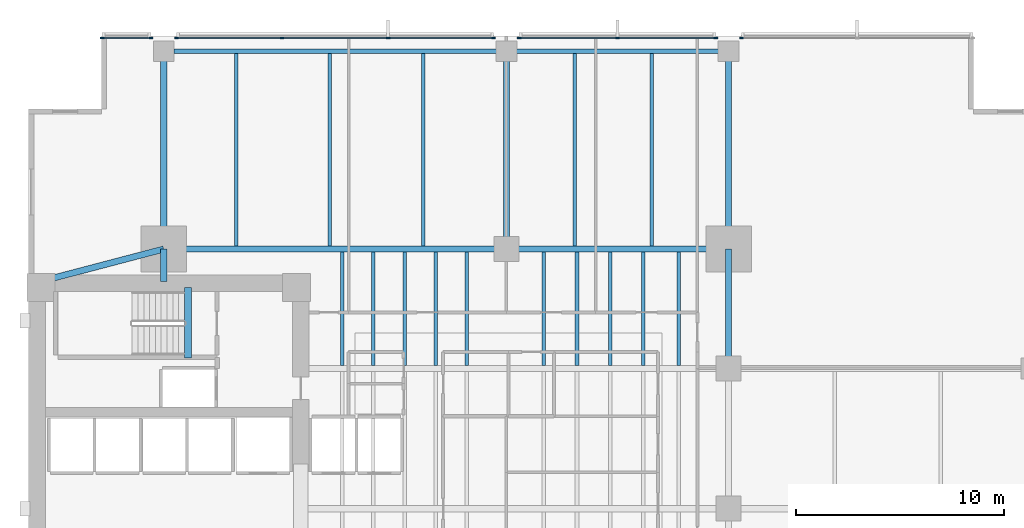
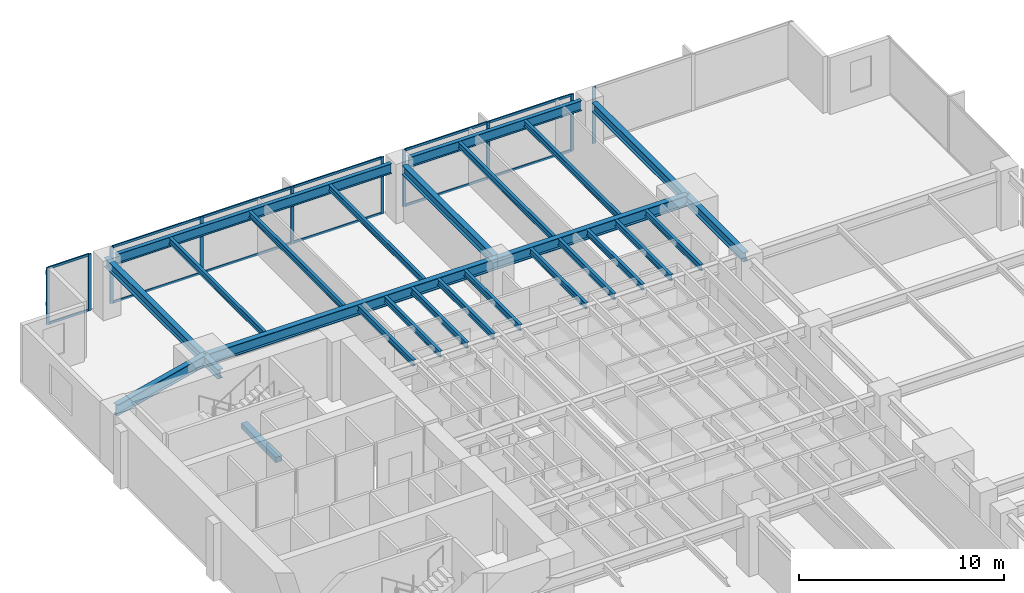
# One storey, part 5 of 15: 26 beams, 22 members, 4 elements without a shape of their own.
"""IFC4 building model written with IfcOpenShell, lengths in metres."""

from ifc_helpers import new_model, si_unit, direction, frame, origin, origin_2d, place, context, subcontext, project, spatial, rectangle, i_section, extrude, material, layer, layer_set, material_profile, profile_set, type_object, element, aggregate, save


model = new_model("IFC4")

# Units and contexts
model_context = context("Model", 3, precision=1e-05, world=origin(), true_north=direction((0.0, 1.0)))
body_context = subcontext(model_context, "Body", "Model", "MODEL_VIEW")
ifc_project = project(units=[si_unit("LENGTHUNIT", "METRE"), si_unit("AREAUNIT", "SQUARE_METRE"), si_unit("VOLUMEUNIT", "CUBIC_METRE"), si_unit("PLANEANGLEUNIT", "RADIAN"), si_unit("MASSUNIT", "GRAM", prefix="KILO")], contexts=[model_context])

# Site, building, storey
site_placement = place(None, origin())
site = spatial("IfcSite", under=ifc_project, at=site_placement, CompositionType="ELEMENT")
building_placement = place(site_placement, origin())
building = spatial("IfcBuilding", under=site, at=building_placement, Name="Kinhvarn Gate Tower", CompositionType="ELEMENT")
storey_placement = place(building_placement, frame((0.0, 0.0, 68.199951171875)))
storey = spatial("IfcBuildingStorey", under=building, at=storey_placement, Name="L17", CompositionType="ELEMENT", Elevation=68.199951171875)

# Beam
ifc_material_1 = material(Name="Concrete C50/60", Category="concrete")
ifc_material_profile_1 = material_profile(ifc_material_1, rectangle(XDim=0.340087890625, YDim=0.320068359375, at=origin_2d()), Name="RC 340x320")
ifc_profile_set_1 = profile_set([ifc_material_profile_1], Name="Concrete C50/60")
beam_type_1 = type_object("IfcBeamType", Name="BM-LND-500", PredefinedType="BEAM", material=ifc_profile_set_1)
beam_1_placement = place(storey_placement, frame((12.1650390625, 32.5, -0.159912109375), z_axis=(0.0, 1.0, 0.0), x_axis=(-1.0, 0.0, 0.0)))
element("IfcBeam", 1, at=beam_1_placement, inside=storey, type_object=beam_type_1, Name="Stair ST2 Landing Nosing Beam (L17)", PredefinedType="BEAM", context=body_context, shape_type="SweptSolid", body=[
    extrude(rectangle(XDim=0.340087890625, YDim=0.320068359375, at=origin_2d()), origin(), (0.0, 0.0, 1.0), 3.39990234375),
])

# Curtain wall, member
ifc_material_2 = material(Name="Anodised aluminium AW-6063", Category="aluminium")
ifc_layer = layer(ifc_material_2, 0.179931640625)
ifc_layer_set = layer_set([ifc_layer], Name="Anodised aluminium AW-6063")
curtain_wall_type = type_object("IfcCurtainWallType", Name="CW-SYS-2", PredefinedType="NOTDEFINED", material=ifc_layer_set)
curtain_wall_1_placement = place(storey_placement, origin())
curtain_wall_1 = element("IfcCurtainWall", 2, at=curtain_wall_1_placement, inside=storey, type_object=curtain_wall_type, Name="Curtain Wall CW2 (L17)", PredefinedType="NOTDEFINED")
ifc_material_profile_2 = material_profile(ifc_material_2, rectangle(XDim=0.070068359375, YDim=0.179931640625, at=origin_2d()), Name="ALU 70x180")
ifc_profile_set_2 = profile_set([ifc_material_profile_2], Name="Anodised aluminium AW-6063")
member_type_1 = type_object("IfcMemberType", Name="CW-MUL-180", PredefinedType="MULLION", material=ifc_profile_set_2)
member_1_placement = place(storey_placement, frame((38.81494140625, 47.909912109375, 0.0), z_axis=(0.0, 0.0, 1.0), x_axis=(0.0, -1.0, 0.0)))
member_1 = element("IfcMember", 3, at=member_1_placement, type_object=member_type_1, Name="CW2 mullion 3", PredefinedType="MULLION", context=body_context, shape_type="SweptSolid", body=[
    extrude(rectangle(XDim=0.070068359375, YDim=0.179931640625, at=origin_2d()), origin(), (0.0, 0.0, 1.0), 3.3701171875),
])
aggregate(curtain_wall_1, [member_1])

# Curtain wall, members
curtain_wall_2_placement = place(storey_placement, origin())
curtain_wall_2 = element("IfcCurtainWall", 4, at=curtain_wall_2_placement, inside=storey, type_object=curtain_wall_type, Name="Curtain Wall CW2 (L17)", PredefinedType="NOTDEFINED")
member_2_placement = place(storey_placement, frame((37.5849609375, 47.909912109375, 0.0), z_axis=(0.0, 0.0, 1.0), x_axis=(0.0, -1.0, 0.0)))
member_2 = element("IfcMember", 5, at=member_2_placement, type_object=member_type_1, Name="CW2 mullion 1", PredefinedType="MULLION", context=body_context, shape_type="SweptSolid", body=[
    extrude(rectangle(XDim=0.070068359375, YDim=0.179931640625, at=origin_2d()), origin(), (0.0, 0.0, 1.0), 3.3701171875),
])
member_3_placement = place(storey_placement, frame((32.85009765625, 47.909912109375, 0.0), z_axis=(0.0, 0.0, 1.0), x_axis=(0.0, -1.0, 0.0)))
member_3 = element("IfcMember", 6, at=member_3_placement, type_object=member_type_1, Name="CW2 mullion 2", PredefinedType="MULLION", context=body_context, shape_type="SweptSolid", body=[
    extrude(rectangle(XDim=0.070068359375, YDim=0.179931640625, at=origin_2d()), origin(), (0.0, 0.0, 1.0), 3.3701171875),
])
member_4_placement = place(storey_placement, frame((28.114990234375, 47.909912109375, 0.0), z_axis=(0.0, 0.0, 1.0), x_axis=(0.0, -1.0, 0.0)))
member_4 = element("IfcMember", 7, at=member_4_placement, type_object=member_type_1, Name="CW2 mullion 3", PredefinedType="MULLION", context=body_context, shape_type="SweptSolid", body=[
    extrude(rectangle(XDim=0.070068359375, YDim=0.179931640625, at=origin_2d()), origin(), (0.0, 0.0, 1.0), 3.3701171875),
])

curtain_wall_3_placement = place(storey_placement, origin())
curtain_wall_3 = element("IfcCurtainWall", 8, at=curtain_wall_3_placement, inside=storey, type_object=curtain_wall_type, Name="Curtain Wall CW2 (L17)", PredefinedType="NOTDEFINED")
member_5_placement = place(storey_placement, frame((26.885009765625, 47.909912109375, 0.0), z_axis=(0.0, 0.0, 1.0), x_axis=(0.0, -1.0, 0.0)))
member_5 = element("IfcMember", 9, at=member_5_placement, type_object=member_type_1, Name="CW2 mullion 1", PredefinedType="MULLION", context=body_context, shape_type="SweptSolid", body=[
    extrude(rectangle(XDim=0.070068359375, YDim=0.179931640625, at=origin_2d()), origin(), (0.0, 0.0, 1.0), 3.3701171875),
])
member_6_placement = place(storey_placement, frame((21.806640625, 47.909912109375, 0.0), z_axis=(0.0, 0.0, 1.0), x_axis=(0.0, -1.0, 0.0)))
member_6 = element("IfcMember", 10, at=member_6_placement, type_object=member_type_1, Name="CW2 mullion 2", PredefinedType="MULLION", context=body_context, shape_type="SweptSolid", body=[
    extrude(rectangle(XDim=0.070068359375, YDim=0.179931640625, at=origin_2d()), origin(), (0.0, 0.0, 1.0), 3.3701171875),
])
member_7_placement = place(storey_placement, frame((16.693359375, 47.909912109375, 0.0), z_axis=(0.0, 0.0, 1.0), x_axis=(0.0, -1.0, 0.0)))
member_7 = element("IfcMember", 11, at=member_7_placement, type_object=member_type_1, Name="CW2 mullion 3", PredefinedType="MULLION", context=body_context, shape_type="SweptSolid", body=[
    extrude(rectangle(XDim=0.070068359375, YDim=0.179931640625, at=origin_2d()), origin(), (0.0, 0.0, 1.0), 3.3701171875),
])
member_8_placement = place(storey_placement, frame((11.614990234375, 47.909912109375, 0.0), z_axis=(0.0, 0.0, 1.0), x_axis=(0.0, -1.0, 0.0)))
member_8 = element("IfcMember", 12, at=member_8_placement, type_object=member_type_1, Name="CW2 mullion 4", PredefinedType="MULLION", context=body_context, shape_type="SweptSolid", body=[
    extrude(rectangle(XDim=0.070068359375, YDim=0.179931640625, at=origin_2d()), origin(), (0.0, 0.0, 1.0), 3.3701171875),
])

curtain_wall_4_placement = place(storey_placement, origin())
curtain_wall_4 = element("IfcCurtainWall", 13, at=curtain_wall_4_placement, inside=storey, type_object=curtain_wall_type, Name="Curtain Wall CW2 (L17)", PredefinedType="NOTDEFINED")
member_9_placement = place(storey_placement, frame((10.385009765625, 47.909912109375, 0.0), z_axis=(0.0, 0.0, 1.0), x_axis=(0.0, -1.0, 0.0)))
member_9 = element("IfcMember", 14, at=member_9_placement, type_object=member_type_1, Name="CW2 mullion 1", PredefinedType="MULLION", context=body_context, shape_type="SweptSolid", body=[
    extrude(rectangle(XDim=0.070068359375, YDim=0.179931640625, at=origin_2d()), origin(), (0.0, 0.0, 1.0), 3.3701171875),
])
member_10_placement = place(storey_placement, frame((8.034912109375, 47.909912109375, 0.0), z_axis=(0.0, 0.0, 1.0), x_axis=(0.0, -1.0, 0.0)))
member_10 = element("IfcMember", 15, at=member_10_placement, type_object=member_type_1, Name="CW2 mullion 2", PredefinedType="MULLION", context=body_context, shape_type="SweptSolid", body=[
    extrude(rectangle(XDim=0.070068359375, YDim=0.179931640625, at=origin_2d()), origin(), (0.0, 0.0, 1.0), 3.3701171875),
])

# Member
ifc_material_profile_3 = material_profile(ifc_material_2, rectangle(XDim=0.070068359375, YDim=0.139892578125, at=origin_2d()), Name="ALU 70x140")
ifc_profile_set_3 = profile_set([ifc_material_profile_3], Name="Anodised aluminium AW-6063")
member_type_2 = type_object("IfcMemberType", Name="CW-TRN-140", PredefinedType="USERDEFINED", material=ifc_profile_set_3)
member_11_placement = place(storey_placement, frame((37.550048828125, 47.909912109375, 0.03515625), z_axis=(-1.0, 0.0, 0.0), x_axis=(0.0, -1.0, 0.0)))
member_11 = element("IfcMember", 16, at=member_11_placement, type_object=member_type_2, Name="CW2 transom 1.1", ObjectType="TRANSOM", PredefinedType="USERDEFINED", context=body_context, shape_type="SweptSolid", body=[
    extrude(rectangle(XDim=0.070068359375, YDim=0.139892578125, at=origin_2d()), origin(), (0.0, 0.0, 1.0), 4.6650390625),
])

member_12_placement = place(storey_placement, frame((37.550048828125, 47.909912109375, 3.3349609375), z_axis=(-1.0, 0.0, 0.0), x_axis=(0.0, -1.0, 0.0)))
member_12 = element("IfcMember", 17, at=member_12_placement, type_object=member_type_2, Name="CW2 transom 1.2", ObjectType="TRANSOM", PredefinedType="USERDEFINED", context=body_context, shape_type="SweptSolid", body=[
    extrude(rectangle(XDim=0.070068359375, YDim=0.139892578125, at=origin_2d()), origin(), (0.0, 0.0, 1.0), 4.6650390625),
])

member_13_placement = place(storey_placement, frame((32.81494140625, 47.909912109375, 0.03515625), z_axis=(-1.0, 0.0, 0.0), x_axis=(0.0, -1.0, 0.0)))
member_13 = element("IfcMember", 18, at=member_13_placement, type_object=member_type_2, Name="CW2 transom 2.1", ObjectType="TRANSOM", PredefinedType="USERDEFINED", context=body_context, shape_type="SweptSolid", body=[
    extrude(rectangle(XDim=0.070068359375, YDim=0.139892578125, at=origin_2d()), origin(), (0.0, 0.0, 1.0), 4.6650390625),
])

member_14_placement = place(storey_placement, frame((32.81494140625, 47.909912109375, 3.3349609375), z_axis=(-1.0, 0.0, 0.0), x_axis=(0.0, -1.0, 0.0)))
member_14 = element("IfcMember", 19, at=member_14_placement, type_object=member_type_2, Name="CW2 transom 2.2", ObjectType="TRANSOM", PredefinedType="USERDEFINED", context=body_context, shape_type="SweptSolid", body=[
    extrude(rectangle(XDim=0.070068359375, YDim=0.139892578125, at=origin_2d()), origin(), (0.0, 0.0, 1.0), 4.6650390625),
])

aggregate(curtain_wall_2, [member_2, member_3, member_4, member_11, member_12, member_13, member_14])

member_15_placement = place(storey_placement, frame((26.85009765625, 47.909912109375, 0.03515625), z_axis=(-1.0, 0.0, 0.0), x_axis=(0.0, -1.0, 0.0)))
member_15 = element("IfcMember", 20, at=member_15_placement, type_object=member_type_2, Name="CW2 transom 1.1", ObjectType="TRANSOM", PredefinedType="USERDEFINED", context=body_context, shape_type="SweptSolid", body=[
    extrude(rectangle(XDim=0.070068359375, YDim=0.139892578125, at=origin_2d()), origin(), (0.0, 0.0, 1.0), 5.008544921875),
])

member_16_placement = place(storey_placement, frame((26.85009765625, 47.909912109375, 3.3349609375), z_axis=(-1.0, 0.0, 0.0), x_axis=(0.0, -1.0, 0.0)))
member_16 = element("IfcMember", 21, at=member_16_placement, type_object=member_type_2, Name="CW2 transom 1.2", ObjectType="TRANSOM", PredefinedType="USERDEFINED", context=body_context, shape_type="SweptSolid", body=[
    extrude(rectangle(XDim=0.070068359375, YDim=0.139892578125, at=origin_2d()), origin(), (0.0, 0.0, 1.0), 5.008544921875),
])

member_17_placement = place(storey_placement, frame((21.771728515625, 47.909912109375, 0.03515625), z_axis=(-1.0, 0.0, 0.0), x_axis=(0.0, -1.0, 0.0)))
member_17 = element("IfcMember", 22, at=member_17_placement, type_object=member_type_2, Name="CW2 transom 2.1", ObjectType="TRANSOM", PredefinedType="USERDEFINED", context=body_context, shape_type="SweptSolid", body=[
    extrude(rectangle(XDim=0.070068359375, YDim=0.139892578125, at=origin_2d()), origin(), (0.0, 0.0, 1.0), 5.04345703125),
])

member_18_placement = place(storey_placement, frame((21.771728515625, 47.909912109375, 3.3349609375), z_axis=(-1.0, 0.0, 0.0), x_axis=(0.0, -1.0, 0.0)))
member_18 = element("IfcMember", 23, at=member_18_placement, type_object=member_type_2, Name="CW2 transom 2.2", ObjectType="TRANSOM", PredefinedType="USERDEFINED", context=body_context, shape_type="SweptSolid", body=[
    extrude(rectangle(XDim=0.070068359375, YDim=0.139892578125, at=origin_2d()), origin(), (0.0, 0.0, 1.0), 5.04345703125),
])

member_19_placement = place(storey_placement, frame((16.658447265625, 47.909912109375, 0.03515625), z_axis=(-1.0, 0.0, 0.0), x_axis=(0.0, -1.0, 0.0)))
member_19 = element("IfcMember", 24, at=member_19_placement, type_object=member_type_2, Name="CW2 transom 3.1", ObjectType="TRANSOM", PredefinedType="USERDEFINED", context=body_context, shape_type="SweptSolid", body=[
    extrude(rectangle(XDim=0.070068359375, YDim=0.139892578125, at=origin_2d()), origin(), (0.0, 0.0, 1.0), 5.008544921875),
])

member_20_placement = place(storey_placement, frame((16.658447265625, 47.909912109375, 3.3349609375), z_axis=(-1.0, 0.0, 0.0), x_axis=(0.0, -1.0, 0.0)))
member_20 = element("IfcMember", 25, at=member_20_placement, type_object=member_type_2, Name="CW2 transom 3.2", ObjectType="TRANSOM", PredefinedType="USERDEFINED", context=body_context, shape_type="SweptSolid", body=[
    extrude(rectangle(XDim=0.070068359375, YDim=0.139892578125, at=origin_2d()), origin(), (0.0, 0.0, 1.0), 5.008544921875),
])

aggregate(curtain_wall_3, [member_5, member_6, member_7, member_8, member_15, member_16, member_17, member_18, member_19, member_20])

member_21_placement = place(storey_placement, frame((10.35009765625, 47.909912109375, 0.03515625), z_axis=(-1.0, 0.0, 0.0), x_axis=(0.0, -1.0, 0.0)))
member_21 = element("IfcMember", 26, at=member_21_placement, type_object=member_type_2, Name="CW2 transom 1.1", ObjectType="TRANSOM", PredefinedType="USERDEFINED", context=body_context, shape_type="SweptSolid", body=[
    extrude(rectangle(XDim=0.070068359375, YDim=0.139892578125, at=origin_2d()), origin(), (0.0, 0.0, 1.0), 2.280029296875),
])

member_22_placement = place(storey_placement, frame((10.35009765625, 47.909912109375, 3.3349609375), z_axis=(-1.0, 0.0, 0.0), x_axis=(0.0, -1.0, 0.0)))
member_22 = element("IfcMember", 27, at=member_22_placement, type_object=member_type_2, Name="CW2 transom 1.2", ObjectType="TRANSOM", PredefinedType="USERDEFINED", context=body_context, shape_type="SweptSolid", body=[
    extrude(rectangle(XDim=0.070068359375, YDim=0.139892578125, at=origin_2d()), origin(), (0.0, 0.0, 1.0), 2.280029296875),
])

aggregate(curtain_wall_4, [member_9, member_10, member_21, member_22])

# Beams
ifc_material_3 = material(Name="Steel S355", Category="steel")
ifc_material_profile_4 = material_profile(ifc_material_3, i_section(OverallWidth=0.300048828125, OverallDepth=0.550048828125, WebThickness=0.014892578125, FlangeThickness=0.029052734375, at=origin_2d()), Name="HEB 550")
ifc_profile_set_4 = profile_set([ifc_material_profile_4], Name="Steel S355")
beam_type_2 = type_object("IfcBeamType", Name="STL-HEB550", PredefinedType="BEAM", material=ifc_profile_set_4)
beam_2_placement = place(storey_placement, frame((11.0, 36.199951171875, 3.094970703125), z_axis=(0.0, 1.0, 0.0), x_axis=(-1.0, 0.0, 0.0)))
element("IfcBeam", 28, at=beam_2_placement, inside=storey, type_object=beam_type_2, Name="Floor Beam PG-15 (L17 MCW-CN)", PredefinedType="BEAM", context=body_context, shape_type="SweptSolid", body=[
    extrude(i_section(OverallWidth=0.300048828125, OverallDepth=0.550048828125, WebThickness=0.014892578125, FlangeThickness=0.029052734375, at=origin_2d()), origin(), (0.0, 0.0, 1.0), 1.550048828125),
])
beam_3_placement = place(storey_placement, frame((11.0, 37.75, 3.094970703125), z_axis=(0.0, 1.0, 0.0), x_axis=(-1.0, 0.0, 0.0)))
element("IfcBeam", 29, at=beam_3_placement, inside=storey, type_object=beam_type_2, Name="Floor Beam PG-15 (L17 MCW-N)", PredefinedType="BEAM", context=body_context, shape_type="SweptSolid", body=[
    extrude(i_section(OverallWidth=0.300048828125, OverallDepth=0.550048828125, WebThickness=0.014892578125, FlangeThickness=0.029052734375, at=origin_2d()), origin(), (0.0, 0.0, 1.0), 9.530029296875),
])
for number, where, z_axis, x_axis, name in (
    (30, (27.5, 37.75, 3.094970703125), (0.0, 1.0, 0.0), (-1.0, 0.0, 0.0), "Floor Beam PG-15 (L17 SP27-N-TIE)"),
    (31, (38.199951171875, 37.75, 3.094970703125), (0.0, 1.0, 0.0), (-1.0, 0.0, 0.0), "Floor Beam PG-15 (L17 MCE-N)"),
):
    element("IfcBeam", number, at=place(storey_placement, frame(where, z_axis=z_axis, x_axis=x_axis)), inside=storey, type_object=beam_type_2, Name=name, PredefinedType="BEAM", context=body_context, shape_type="SweptSolid", body=[
        extrude(i_section(OverallWidth=0.300048828125, OverallDepth=0.550048828125, WebThickness=0.014892578125, FlangeThickness=0.029052734375, at=origin_2d()), origin(), (0.0, 0.0, 1.0), 9.044921875),
    ])
beam_4_placement = place(storey_placement, frame((38.199951171875, 32.0, 3.094970703125), z_axis=(0.0, 1.0, 0.0), x_axis=(-1.0, 0.0, 0.0)))
element("IfcBeam", 32, at=beam_4_placement, inside=storey, type_object=beam_type_2, Name="Floor Beam PG-15 (L17 MG-E-32)", PredefinedType="BEAM", context=body_context, shape_type="SweptSolid", body=[
    extrude(i_section(OverallWidth=0.300048828125, OverallDepth=0.550048828125, WebThickness=0.014892578125, FlangeThickness=0.029052734375, at=origin_2d()), origin(), (0.0, 0.0, 1.0), 5.75),
])
ifc_material_profile_5 = material_profile(ifc_material_3, i_section(OverallWidth=0.300048828125, OverallDepth=0.64990234375, WebThickness=0.01611328125, FlangeThickness=0.031005859375, at=origin_2d()), Name="HEB 650")
ifc_profile_set_5 = profile_set([ifc_material_profile_5], Name="Steel S355")
beam_type_3 = type_object("IfcBeamType", Name="STL-HEB650", PredefinedType="BEAM", material=ifc_profile_set_5)
beam_5_placement = place(storey_placement, frame((11.0, 37.75, 3.045166015625), z_axis=(1.0, 0.0, 0.0), x_axis=(0.0, 1.0, 0.0)))
element("IfcBeam", 33, at=beam_5_placement, inside=storey, type_object=beam_type_3, Name="Floor Beam PG-17 (L17 MG-N1)", PredefinedType="BEAM", context=body_context, shape_type="SweptSolid", body=[
    extrude(i_section(OverallWidth=0.300048828125, OverallDepth=0.64990234375, WebThickness=0.01611328125, FlangeThickness=0.031005859375, at=origin_2d()), origin(), (0.0, 0.0, 1.0), 16.5),
])
beam_6_placement = place(storey_placement, frame((27.5, 37.75, 3.045166015625), z_axis=(1.0, 0.0, 0.0), x_axis=(0.0, 1.0, 0.0)))
element("IfcBeam", 34, at=beam_6_placement, inside=storey, type_object=beam_type_3, Name="Floor Beam PG-17 (L17 MG-N2)", PredefinedType="BEAM", context=body_context, shape_type="SweptSolid", body=[
    extrude(i_section(OverallWidth=0.300048828125, OverallDepth=0.64990234375, WebThickness=0.01611328125, FlangeThickness=0.031005859375, at=origin_2d()), origin(), (0.0, 0.0, 1.0), 10.699951171875),
])
beam_7_placement = place(storey_placement, frame((5.10009765625, 36.199951171875, 3.045166015625), z_axis=(0.967177623957, 0.254101246979, 0.0), x_axis=(-0.254101246979, 0.967177623957, 0.0)))
element("IfcBeam", 35, at=beam_7_placement, inside=storey, type_object=beam_type_3, Name="Floor Beam PG-17 (L17 MG-NW-DIAG)", PredefinedType="BEAM", context=body_context, shape_type="SweptSolid", body=[
    extrude(i_section(OverallWidth=0.300048828125, OverallDepth=0.64990234375, WebThickness=0.01611328125, FlangeThickness=0.031005859375, at=origin_2d()), origin(), (0.0, 0.0, 1.0), 6.10009765625),
])
ifc_material_profile_6 = material_profile(ifc_material_3, i_section(OverallWidth=0.169921875, OverallDepth=0.360107421875, WebThickness=0.008056640625, FlangeThickness=0.0126953125, at=origin_2d()), Name="IPE 360")
ifc_profile_set_6 = profile_set([ifc_material_profile_6], Name="Steel S355")
beam_type_4 = type_object("IfcBeamType", Name="STL-IPE360", PredefinedType="JOIST", material=ifc_profile_set_6)
for number, where, z_axis, x_axis, name in (
    (36, (19.60009765625, 32.14990234375, 3.18994140625), (0.0, 1.0, 0.0), (-1.0, 0.0, 0.0), "Floor Joist SB-04 (L17 JC-X196-3)"),
    (37, (21.10009765625, 32.14990234375, 3.18994140625), (0.0, 1.0, 0.0), (-1.0, 0.0, 0.0), "Floor Joist SB-04 (L17 JC-X211-3)"),
    (38, (22.60009765625, 32.14990234375, 3.18994140625), (0.0, 1.0, 0.0), (-1.0, 0.0, 0.0), "Floor Joist SB-04 (L17 JC-X226-3)"),
    (39, (24.10009765625, 32.14990234375, 3.18994140625), (0.0, 1.0, 0.0), (-1.0, 0.0, 0.0), "Floor Joist SB-04 (L17 JC-X241-3)"),
    (40, (25.60009765625, 32.14990234375, 3.18994140625), (0.0, 1.0, 0.0), (-1.0, 0.0, 0.0), "Floor Joist SB-04 (L17 JC-X256-3)"),
    (41, (29.300048828125, 32.14990234375, 3.18994140625), (0.0, 1.0, 0.0), (-1.0, 0.0, 0.0), "Floor Joist SB-04 (L17 JC-X293-3)"),
    (42, (30.89990234375, 32.14990234375, 3.18994140625), (0.0, 1.0, 0.0), (-1.0, 0.0, 0.0), "Floor Joist SB-04 (L17 JC-X309-3)"),
    (43, (32.5, 32.14990234375, 3.18994140625), (0.0, 1.0, 0.0), (-1.0, 0.0, 0.0), "Floor Joist SB-04 (L17 JC-X325-3)"),
    (44, (34.10009765625, 32.14990234375, 3.18994140625), (0.0, 1.0, 0.0), (-1.0, 0.0, 0.0), "Floor Joist SB-04 (L17 JC-X341-3)"),
    (45, (35.800048828125, 32.14990234375, 3.18994140625), (0.0, 1.0, 0.0), (-1.0, 0.0, 0.0), "Floor Joist SB-04 (L17 JC-X358-3)"),
):
    element("IfcBeam", number, at=place(storey_placement, frame(where, z_axis=z_axis, x_axis=x_axis)), inside=storey, type_object=beam_type_4, Name=name, PredefinedType="JOIST", context=body_context, shape_type="SweptSolid", body=[
        extrude(i_section(OverallWidth=0.169921875, OverallDepth=0.360107421875, WebThickness=0.008056640625, FlangeThickness=0.0126953125, at=origin_2d()), origin(), (0.0, 0.0, 1.0), 5.4501953125),
    ])
for number, where, z_axis, x_axis, name in (
    (46, (14.5, 37.89990234375, 3.18994140625), (0.0, 1.0, 0.0), (-1.0, 0.0, 0.0), "Floor Joist SB-04 (L17 JN-X145)"),
    (47, (19.0, 37.89990234375, 3.18994140625), (0.0, 1.0, 0.0), (-1.0, 0.0, 0.0), "Floor Joist SB-04 (L17 JN-X190)"),
    (48, (23.5, 37.89990234375, 3.18994140625), (0.0, 1.0, 0.0), (-1.0, 0.0, 0.0), "Floor Joist SB-04 (L17 JN-X235)"),
    (49, (30.800048828125, 37.89990234375, 3.18994140625), (0.0, 1.0, 0.0), (-1.0, 0.0, 0.0), "Floor Joist SB-04 (L17 JN-X308)"),
    (50, (34.5, 37.89990234375, 3.18994140625), (0.0, 1.0, 0.0), (-1.0, 0.0, 0.0), "Floor Joist SB-04 (L17 JN-X345)"),
):
    element("IfcBeam", number, at=place(storey_placement, frame(where, z_axis=z_axis, x_axis=x_axis)), inside=storey, type_object=beam_type_4, Name=name, PredefinedType="JOIST", context=body_context, shape_type="SweptSolid", body=[
        extrude(i_section(OverallWidth=0.169921875, OverallDepth=0.360107421875, WebThickness=0.008056640625, FlangeThickness=0.0126953125, at=origin_2d()), origin(), (0.0, 0.0, 1.0), 9.27001953125),
    ])
ifc_material_profile_7 = material_profile(ifc_material_3, i_section(OverallWidth=0.219970703125, OverallDepth=0.60009765625, WebThickness=0.011962890625, FlangeThickness=0.01904296875, at=origin_2d()), Name="IPE 600")
ifc_profile_set_7 = profile_set([ifc_material_profile_7], Name="Steel S355")
beam_type_5 = type_object("IfcBeamType", Name="STL-IPE600", PredefinedType="SPANDREL", material=ifc_profile_set_7)
beam_8_placement = place(storey_placement, frame((11.485107421875, 47.280029296875, 3.070068359375), z_axis=(1.0, 0.0, 0.0), x_axis=(0.0, 1.0, 0.0)))
element("IfcBeam", 51, at=beam_8_placement, inside=storey, type_object=beam_type_5, Name="Floor Spandrel SB-09 (L17 SP-N1)", PredefinedType="SPANDREL", context=body_context, shape_type="SweptSolid", body=[
    extrude(i_section(OverallWidth=0.219970703125, OverallDepth=0.60009765625, WebThickness=0.011962890625, FlangeThickness=0.01904296875, at=origin_2d()), origin(), (0.0, 0.0, 1.0), 15.52978515625),
])
beam_9_placement = place(storey_placement, frame((27.985107421875, 47.280029296875, 3.070068359375), z_axis=(1.0, 0.0, 0.0), x_axis=(0.0, 1.0, 0.0)))
element("IfcBeam", 52, at=beam_9_placement, inside=storey, type_object=beam_type_5, Name="Floor Spandrel SB-09 (L17 SP-N2)", PredefinedType="SPANDREL", context=body_context, shape_type="SweptSolid", body=[
    extrude(i_section(OverallWidth=0.219970703125, OverallDepth=0.60009765625, WebThickness=0.011962890625, FlangeThickness=0.01904296875, at=origin_2d()), origin(), (0.0, 0.0, 1.0), 9.72998046875),
])

save(model, "model.ifc")
